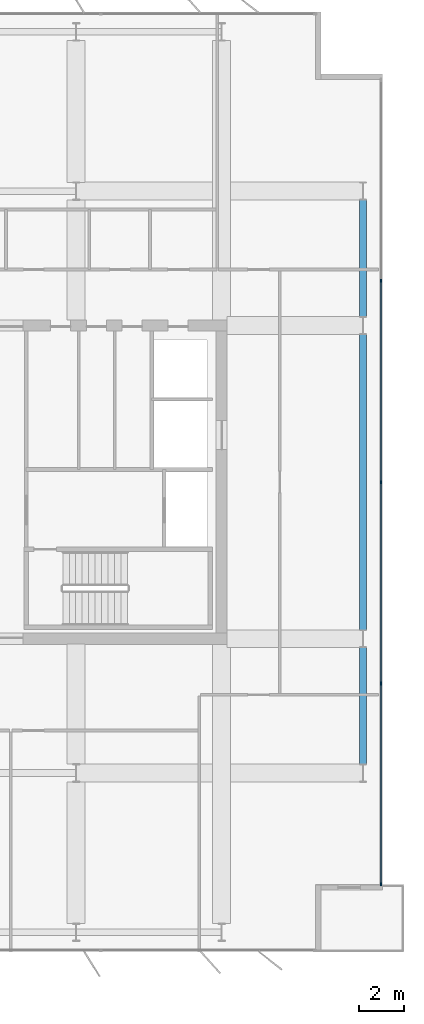
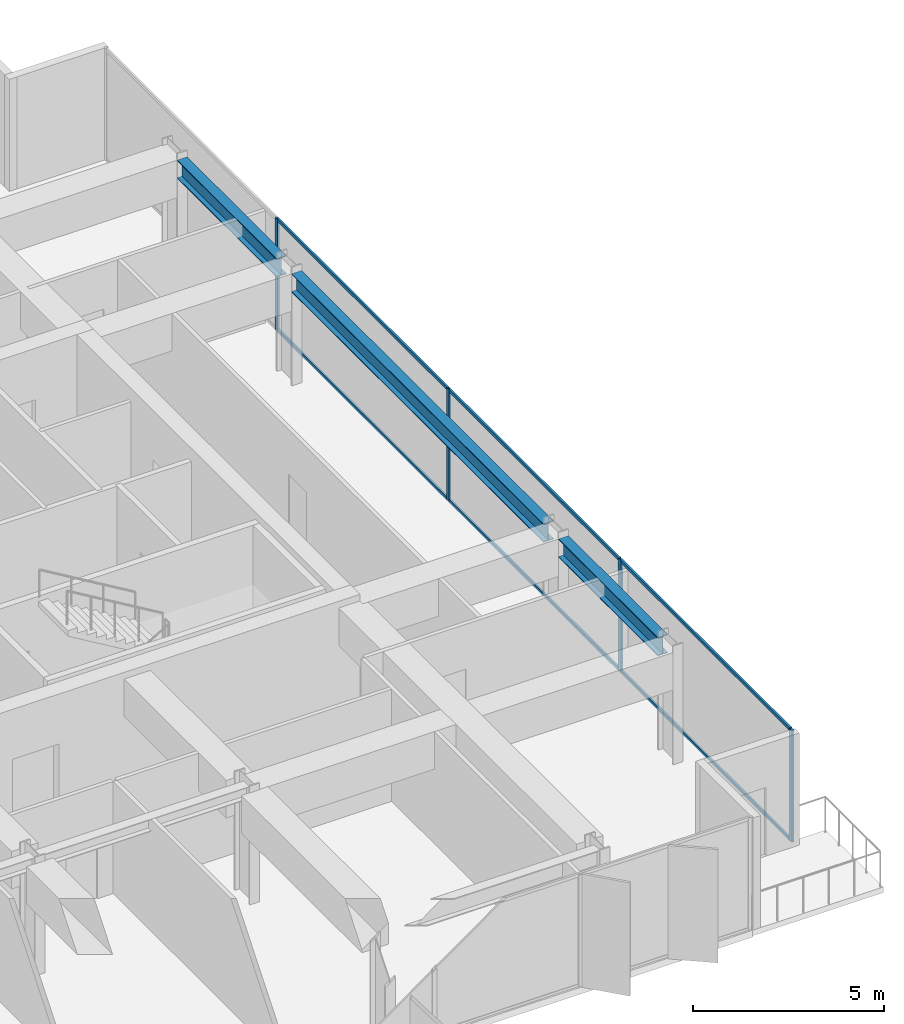
# One storey, part 14 of 24: 10 members, 3 beams, 1 element without a shape of its own.
"""IFC4 building model written with IfcOpenShell, lengths in metres."""

import ifcopenshell
import ifcopenshell.guid

model = None  # the IFC model being written
_history = None  # IfcOwnerHistory: only IFC2X3 demands one
_inside = {}  # id of a spatial element -> (the spatial element, [elements in it])
_under = {}  # id of a project, library or spatial element -> (it, [spatial elements below it])
_declared = {}  # id of a project -> (the project, [libraries it declares])
_typed = {}  # id of a type object -> (the type object, [elements of that type])
_made_of = {}  # id of a material, layer set ... -> (it, [elements and type objects made of it])


def new_model(schema):
    """Start an empty IFC model of exactly this schema.

    Asked for "IFC4X3", IfcOpenShell would pick the latest addendum, in which some entities
    have other attributes; the version numbers below select the first issue.
    IFC2X3 requires an IfcOwnerHistory on every rooted entity: one is made here for all.
    """
    global model, _history
    if schema == "IFC4X3":
        model = ifcopenshell.file(schema_version=(4, 3, 0, 0))
    else:
        model = ifcopenshell.file(schema=schema)
    _inside.clear()
    _under.clear()
    _declared.clear()
    _typed.clear()
    _made_of.clear()
    _history = None
    if model.schema == "IFC2X3":
        org = make("IfcOrganization", Name="unknown")
        user = make(
            "IfcPersonAndOrganization",
            ThePerson=make("IfcPerson", FamilyName="unknown"),
            TheOrganization=org,
        )
        app = make(
            "IfcApplication",
            ApplicationDeveloper=org,
            Version="unknown",
            ApplicationFullName="unknown",
            ApplicationIdentifier="unknown",
        )
        _history = make(
            "IfcOwnerHistory",
            OwningUser=user,
            OwningApplication=app,
            ChangeAction="ADDED",
            CreationDate=0,
        )
    return model


def make(cls, **values):
    """One entity of the class cls with the attributes given. An attribute that is None is left unset."""
    return model.create_entity(
        cls, **{name: value for name, value in values.items() if value is not None}
    )


def rooted(cls, **values):
    """An entity with a GlobalId (a new one), such as an element, a storey or a relation."""
    return make(cls, GlobalId=ifcopenshell.guid.new(), OwnerHistory=_history, **values)


def si_unit(unit_type, name, prefix=None):
    """IfcSIUnit, for example si_unit("LENGTHUNIT", "METRE", prefix="MILLI")."""
    return make("IfcSIUnit", UnitType=unit_type, Prefix=prefix, Name=name)


def assignment(units):
    """IfcUnitAssignment: the units of a project."""
    return None if units is None else make("IfcUnitAssignment", Units=units)


def point(xyz):
    """IfcCartesianPoint."""
    return None if xyz is None else make("IfcCartesianPoint", Coordinates=xyz)


def direction(xyz):
    """IfcDirection."""
    return None if xyz is None else make("IfcDirection", DirectionRatios=xyz)


def frame(location, z_axis=None, x_axis=None):
    """IfcAxis2Placement3D, a coordinate frame: its origin and axes. An axis left out is left unset."""
    return make(
        "IfcAxis2Placement3D",
        Location=point(location),
        Axis=direction(z_axis),
        RefDirection=direction(x_axis),
    )


def frame_2d(location, x_axis=None):
    """IfcAxis2Placement2D, a coordinate frame in the plane: its origin and x axis."""
    return make(
        "IfcAxis2Placement2D", Location=point(location), RefDirection=direction(x_axis)
    )


def origin():
    """The frame at (0, 0, 0) with its axes left unset."""
    return frame((0.0, 0.0, 0.0))


def origin_2d():
    """The frame at (0, 0) in the plane with its x axis left unset."""
    return frame_2d((0.0, 0.0))


def place(relative_to, where):
    """IfcLocalPlacement: puts the frame where relative to a parent placement (None: the world)."""
    return make(
        "IfcLocalPlacement", PlacementRelTo=relative_to, RelativePlacement=where
    )


def context(
    kind, dimensions, precision=None, world=None, true_north=None, identifier=None
):
    """IfcGeometricRepresentationContext, for example the 3D "Model" context."""
    return make(
        "IfcGeometricRepresentationContext",
        ContextIdentifier=identifier,
        ContextType=kind,
        CoordinateSpaceDimension=dimensions,
        Precision=precision,
        WorldCoordinateSystem=world,
        TrueNorth=true_north,
    )


def subcontext(parent, identifier, kind, view, scale=None):
    """IfcGeometricRepresentationSubContext, for example "Body" below "Model"."""
    return make(
        "IfcGeometricRepresentationSubContext",
        ContextIdentifier=identifier,
        ContextType=kind,
        ParentContext=parent,
        TargetScale=scale,
        TargetView=view,
    )


def project(units=None, contexts=None):
    """IfcProject with its units and contexts."""
    return rooted(
        "IfcProject",
        Name="project",
        RepresentationContexts=contexts,
        UnitsInContext=assignment(units),
    )


def spatial(cls, under=None, at=None, **own):
    """A site, building, storey or space (cls), placed at a placement, below another one or the project."""
    s = rooted(cls, ObjectPlacement=at, **own)
    if under is not None:
        _under.setdefault(under.id(), (under, []))[1].append(s)
    return s


def profile(cls, at=None, kind="AREA", **sizes):
    """A parametric profile (cls). Its sizes go by their IFC names, for example OverallWidth=200.0."""
    return make(cls, ProfileType=kind, Position=at, **sizes)


def rectangle(**sizes):
    """IfcRectangleProfileDef."""
    return profile("IfcRectangleProfileDef", **sizes)


def i_section(**sizes):
    """IfcIShapeProfileDef."""
    return profile("IfcIShapeProfileDef", **sizes)


def extrude(swept, where, along, depth):
    """IfcExtrudedAreaSolid: the profile swept, set in the frame where, extruded along a direction by depth."""
    return make(
        "IfcExtrudedAreaSolid",
        SweptArea=swept,
        Position=where,
        ExtrudedDirection=direction(along),
        Depth=depth,
    )


def shape(context_of_items, identifier, shape_type, items):
    """IfcShapeRepresentation: the items that make up one representation, for example the "Body"."""
    return make(
        "IfcShapeRepresentation",
        ContextOfItems=context_of_items,
        RepresentationIdentifier=identifier,
        RepresentationType=shape_type,
        Items=items,
    )


def material(Name=None, Category=None):
    """IfcMaterial."""
    return make("IfcMaterial", Name=Name, Category=Category)


def layer(
    of_material, thickness, ventilated=None, Name=None, Category=None, Priority=None
):
    """IfcMaterialLayer: one layer of a wall or slab, of a material (None: an air gap)."""
    return make(
        "IfcMaterialLayer",
        Material=of_material,
        LayerThickness=thickness,
        IsVentilated=ventilated,
        Name=Name,
        Category=Category,
        Priority=Priority,
    )


def layer_set(layers, Name=None):
    """IfcMaterialLayerSet."""
    return make("IfcMaterialLayerSet", MaterialLayers=layers, LayerSetName=Name)


def material_profile(
    of_material, cross_section, Name=None, Category=None, Priority=None
):
    """IfcMaterialProfile: a cross section and its material."""
    return make(
        "IfcMaterialProfile",
        Name=Name,
        Material=of_material,
        Profile=cross_section,
        Priority=Priority,
        Category=Category,
    )


def profile_set(profiles, Name=None, composite=None):
    """IfcMaterialProfileSet."""
    return make(
        "IfcMaterialProfileSet",
        Name=Name,
        MaterialProfiles=profiles,
        CompositeProfile=composite,
    )


def made_of(thing, what):
    """Note that an element or type object is made of a material, layer set ...; save() writes the relation."""
    if what is not None:
        _made_of.setdefault(what.id(), (what, []))[1].append(thing)
    return thing


def type_object(cls, material=None, **own):
    """A type object (cls), such as IfcWallType, which elements share."""
    return made_of(rooted(cls, **own), material)


def element(
    cls,
    number,
    at=None,
    inside=None,
    cuts=None,
    type_object=None,
    material=None,
    context=None,
    identifier="Body",
    shape_type=None,
    held_by="IfcProductDefinitionShape",
    body=None,
    shapes=None,
    **own,
):
    """One element of the class cls, such as IfcWall. Its Tag is "e" and its number.

    at: its placement. inside: the storey or other place that contains it. cuts: it is an
    opening in that element (IfcRelVoidsElement). A single representation is given by context,
    identifier, shape_type and body (its items); several are given by shapes. held_by: the class
    of the entity that holds the representations. save() writes the other relations.
    """
    e = rooted(cls, Tag="e%d" % number, ObjectPlacement=at, **own)
    if body is not None:
        shapes = [shape(context, identifier, shape_type, body)]
    if shapes is not None:
        e.Representation = make(held_by, Representations=shapes)
    if inside is not None:
        _inside.setdefault(inside.id(), (inside, []))[1].append(e)
    if cuts is not None:
        rooted(
            "IfcRelVoidsElement", RelatingBuildingElement=cuts, RelatedOpeningElement=e
        )
    if type_object is not None:
        _typed.setdefault(type_object.id(), (type_object, []))[1].append(e)
    return made_of(e, material)


def aggregate(whole, parts):
    """IfcRelAggregates: a whole, such as a stair, and the parts it consists of."""
    return rooted("IfcRelAggregates", RelatingObject=whole, RelatedObjects=parts)


def save(model, path):
    """Write the relations noted so far, then the file.

    IfcRelAggregates (storeys below a building ...), IfcRelContainedInSpatialStructure (elements
    in a storey), IfcRelDefinesByType, IfcRelAssociatesMaterial and IfcRelDeclares: one each for
    every whole, place, type object, material and project.
    """
    for whole, parts in _under.values():
        aggregate(whole, parts)
    for where, things in _inside.values():
        rooted(
            "IfcRelContainedInSpatialStructure",
            RelatedElements=things,
            RelatingStructure=where,
        )
    for kind, things in _typed.values():
        rooted("IfcRelDefinesByType", RelatedObjects=things, RelatingType=kind)
    for what, things in _made_of.values():
        rooted("IfcRelAssociatesMaterial", RelatedObjects=things, RelatingMaterial=what)
    for by, libraries in _declared.values():
        rooted("IfcRelDeclares", RelatingContext=by, RelatedDefinitions=libraries)
    model.write(path)


model = new_model("IFC4")

# Units and contexts
model_context = context("Model", 3, precision=1e-05, world=origin(), true_north=direction((0.0, 1.0)))
body_context = subcontext(model_context, "Body", "Model", "MODEL_VIEW")
ifc_project = project(units=[si_unit("LENGTHUNIT", "METRE"), si_unit("AREAUNIT", "SQUARE_METRE"), si_unit("VOLUMEUNIT", "CUBIC_METRE"), si_unit("PLANEANGLEUNIT", "RADIAN"), si_unit("MASSUNIT", "GRAM", prefix="KILO")], contexts=[model_context])

# Site, building, storey
site_placement = place(None, origin())
site = spatial("IfcSite", under=ifc_project, at=site_placement, CompositionType="ELEMENT")
building_placement = place(site_placement, origin())
building = spatial("IfcBuilding", under=site, at=building_placement, Name="Putna Gate Headquarters", CompositionType="ELEMENT")
storey_placement = place(building_placement, frame((0.0, 0.0, 251.800048828125)))
storey = spatial("IfcBuildingStorey", under=building, at=storey_placement, Name="L63", CompositionType="ELEMENT", Elevation=251.800048828125)

# Beams
ifc_material_1 = material(Name="Steel S355J2", Category="steel")
ifc_material_profile_1 = material_profile(ifc_material_1, i_section(OverallWidth=0.300048828125, OverallDepth=0.590087890625, WebThickness=0.012939453125, FlangeThickness=0.02490234375, at=origin_2d()), Name="Steel S355J2")
ifc_profile_set_1 = profile_set([ifc_material_profile_1], Name="Steel S355J2")
beam_type = type_object("IfcBeamType", Name="BM-SPAN-Z4-HEA600", PredefinedType="SPANDREL", material=ifc_profile_set_1)
beam_1_placement = place(storey_placement, frame((71.320068359375, 13.39501953125, 3.29296875), z_axis=(0.0, 1.0, 0.0), x_axis=(-1.0, 0.0, 0.0)))
element("IfcBeam", 1, at=beam_1_placement, inside=storey, type_object=beam_type, Name="L63 E End Spandrel 1", PredefinedType="SPANDREL", context=body_context, shape_type="SweptSolid", body=[
    extrude(i_section(OverallWidth=0.300048828125, OverallDepth=0.590087890625, WebThickness=0.012939453125, FlangeThickness=0.02490234375, at=origin_2d()), origin(), (0.0, 0.0, 1.0), 5.2099609375),
])
beam_2_placement = place(storey_placement, frame((71.320068359375, 19.39501953125, 3.29296875), z_axis=(0.0, 1.0, 0.0), x_axis=(-1.0, 0.0, 0.0)))
element("IfcBeam", 2, at=beam_2_placement, inside=storey, type_object=beam_type, Name="L63 E End Spandrel 2", PredefinedType="SPANDREL", context=body_context, shape_type="SweptSolid", body=[
    extrude(i_section(OverallWidth=0.300048828125, OverallDepth=0.590087890625, WebThickness=0.012939453125, FlangeThickness=0.02490234375, at=origin_2d()), origin(), (0.0, 0.0, 1.0), 13.2099609375),
])
beam_3_placement = place(storey_placement, frame((71.320068359375, 33.39501953125, 3.29296875), z_axis=(0.0, 1.0, 0.0), x_axis=(-1.0, 0.0, 0.0)))
element("IfcBeam", 3, at=beam_3_placement, inside=storey, type_object=beam_type, Name="L63 E End Spandrel 3", PredefinedType="SPANDREL", context=body_context, shape_type="SweptSolid", body=[
    extrude(i_section(OverallWidth=0.300048828125, OverallDepth=0.590087890625, WebThickness=0.012939453125, FlangeThickness=0.02490234375, at=origin_2d()), origin(), (0.0, 0.0, 1.0), 5.2099609375),
])

# Curtain wall, members
ifc_material_2 = material(Name="Anodised bronze aluminium curtain wall", Category="aluminium")
ifc_layer = layer(ifc_material_2, 0.139892578125)
ifc_layer_set = layer_set([ifc_layer], Name="Anodised bronze aluminium curtain wall")
curtain_wall_type = type_object("IfcCurtainWallType", Name="CW-SYS-Z4", PredefinedType="USERDEFINED", material=ifc_layer_set)
curtain_wall_placement = place(storey_placement, origin())
curtain_wall = element("IfcCurtainWall", 4, at=curtain_wall_placement, inside=storey, type_object=curtain_wall_type, Name="L63 East Curtain Wall", ObjectType="STICK CURTAIN WALL", PredefinedType="USERDEFINED")
ifc_material_3 = material(Name="Anodised bronze aluminium EN AW-6060", Category="aluminium")
ifc_material_profile_2 = material_profile(ifc_material_3, rectangle(XDim=0.06005859375, YDim=0.139892578125, at=origin_2d()), Name="Anodised bronze aluminium EN AW-6060")
ifc_profile_set_2 = profile_set([ifc_material_profile_2], Name="Anodised bronze aluminium EN AW-6060")
member_type_1 = type_object("IfcMemberType", Name="MULL-CWM-4", PredefinedType="MULLION", material=ifc_profile_set_2)
member_1_placement = place(storey_placement, frame((72.1201171875, 8.030029296875, 0.0), z_axis=(0.0, 0.0, 1.0), x_axis=(-1.0, 0.0, 0.0)))
member_1 = element("IfcMember", 5, at=member_1_placement, type_object=member_type_1, Name="CWS-4 mullion 1", PredefinedType="MULLION", context=body_context, shape_type="SweptSolid", body=[
    extrude(rectangle(XDim=0.06005859375, YDim=0.139892578125, at=origin_2d()), origin(), (0.0, 0.0, 1.0), 3.587890625),
])
member_2_placement = place(storey_placement, frame((72.1201171875, 17.0, 0.0), z_axis=(0.0, 0.0, 1.0), x_axis=(-1.0, 0.0, 0.0)))
member_2 = element("IfcMember", 6, at=member_2_placement, type_object=member_type_1, Name="CWS-4 mullion 2", PredefinedType="MULLION", context=body_context, shape_type="SweptSolid", body=[
    extrude(rectangle(XDim=0.06005859375, YDim=0.139892578125, at=origin_2d()), origin(), (0.0, 0.0, 1.0), 3.587890625),
])
member_3_placement = place(storey_placement, frame((72.1201171875, 26.0, 0.0), z_axis=(0.0, 0.0, 1.0), x_axis=(-1.0, 0.0, 0.0)))
member_3 = element("IfcMember", 7, at=member_3_placement, type_object=member_type_1, Name="CWS-4 mullion 3", PredefinedType="MULLION", context=body_context, shape_type="SweptSolid", body=[
    extrude(rectangle(XDim=0.06005859375, YDim=0.139892578125, at=origin_2d()), origin(), (0.0, 0.0, 1.0), 3.587890625),
])
member_4_placement = place(storey_placement, frame((72.1201171875, 35.0, 0.0), z_axis=(0.0, 0.0, 1.0), x_axis=(-1.0, 0.0, 0.0)))
member_4 = element("IfcMember", 8, at=member_4_placement, type_object=member_type_1, Name="CWS-4 mullion 4", PredefinedType="MULLION", context=body_context, shape_type="SweptSolid", body=[
    extrude(rectangle(XDim=0.06005859375, YDim=0.139892578125, at=origin_2d()), origin(), (0.0, 0.0, 1.0), 3.587890625),
])
ifc_material_profile_3 = material_profile(ifc_material_3, rectangle(XDim=0.06005859375, YDim=0.10009765625, at=origin_2d()), Name="Anodised bronze aluminium EN AW-6060")
ifc_profile_set_3 = profile_set([ifc_material_profile_3], Name="Anodised bronze aluminium EN AW-6060")
member_type_2 = type_object("IfcMemberType", Name="TRAN-CWT-4", PredefinedType="USERDEFINED", material=ifc_profile_set_3)
member_5_placement = place(storey_placement, frame((72.1201171875, 8.06005859375, 0.030029296875), z_axis=(0.0, 1.0, 0.0), x_axis=(-1.0, 0.0, 0.0)))
member_5 = element("IfcMember", 9, at=member_5_placement, type_object=member_type_2, Name="CWS-4 transom 1.1", ObjectType="TRANSOM", PredefinedType="USERDEFINED", context=body_context, shape_type="SweptSolid", body=[
    extrude(rectangle(XDim=0.06005859375, YDim=0.10009765625, at=origin_2d()), origin(), (0.0, 0.0, 1.0), 8.909912109375),
])
member_6_placement = place(storey_placement, frame((72.1201171875, 8.06005859375, 3.557861328125), z_axis=(0.0, 1.0, 0.0), x_axis=(-1.0, 0.0, 0.0)))
member_6 = element("IfcMember", 10, at=member_6_placement, type_object=member_type_2, Name="CWS-4 transom 1.2", ObjectType="TRANSOM", PredefinedType="USERDEFINED", context=body_context, shape_type="SweptSolid", body=[
    extrude(rectangle(XDim=0.06005859375, YDim=0.10009765625, at=origin_2d()), origin(), (0.0, 0.0, 1.0), 8.909912109375),
])
member_7_placement = place(storey_placement, frame((72.1201171875, 17.030029296875, 0.030029296875), z_axis=(0.0, 1.0, 0.0), x_axis=(-1.0, 0.0, 0.0)))
member_7 = element("IfcMember", 11, at=member_7_placement, type_object=member_type_2, Name="CWS-4 transom 2.1", ObjectType="TRANSOM", PredefinedType="USERDEFINED", context=body_context, shape_type="SweptSolid", body=[
    extrude(rectangle(XDim=0.06005859375, YDim=0.10009765625, at=origin_2d()), origin(), (0.0, 0.0, 1.0), 8.93994140625),
])
member_8_placement = place(storey_placement, frame((72.1201171875, 17.030029296875, 3.557861328125), z_axis=(0.0, 1.0, 0.0), x_axis=(-1.0, 0.0, 0.0)))
member_8 = element("IfcMember", 12, at=member_8_placement, type_object=member_type_2, Name="CWS-4 transom 2.2", ObjectType="TRANSOM", PredefinedType="USERDEFINED", context=body_context, shape_type="SweptSolid", body=[
    extrude(rectangle(XDim=0.06005859375, YDim=0.10009765625, at=origin_2d()), origin(), (0.0, 0.0, 1.0), 8.93994140625),
])
member_9_placement = place(storey_placement, frame((72.1201171875, 26.030029296875, 0.030029296875), z_axis=(0.0, 1.0, 0.0), x_axis=(-1.0, 0.0, 0.0)))
member_9 = element("IfcMember", 13, at=member_9_placement, type_object=member_type_2, Name="CWS-4 transom 3.1", ObjectType="TRANSOM", PredefinedType="USERDEFINED", context=body_context, shape_type="SweptSolid", body=[
    extrude(rectangle(XDim=0.06005859375, YDim=0.10009765625, at=origin_2d()), origin(), (0.0, 0.0, 1.0), 8.93994140625),
])
member_10_placement = place(storey_placement, frame((72.1201171875, 26.030029296875, 3.557861328125), z_axis=(0.0, 1.0, 0.0), x_axis=(-1.0, 0.0, 0.0)))
member_10 = element("IfcMember", 14, at=member_10_placement, type_object=member_type_2, Name="CWS-4 transom 3.2", ObjectType="TRANSOM", PredefinedType="USERDEFINED", context=body_context, shape_type="SweptSolid", body=[
    extrude(rectangle(XDim=0.06005859375, YDim=0.10009765625, at=origin_2d()), origin(), (0.0, 0.0, 1.0), 8.93994140625),
])
aggregate(curtain_wall, [member_1, member_2, member_3, member_4, member_5, member_6, member_7, member_8, member_9, member_10])

save(model, "model.ifc")
